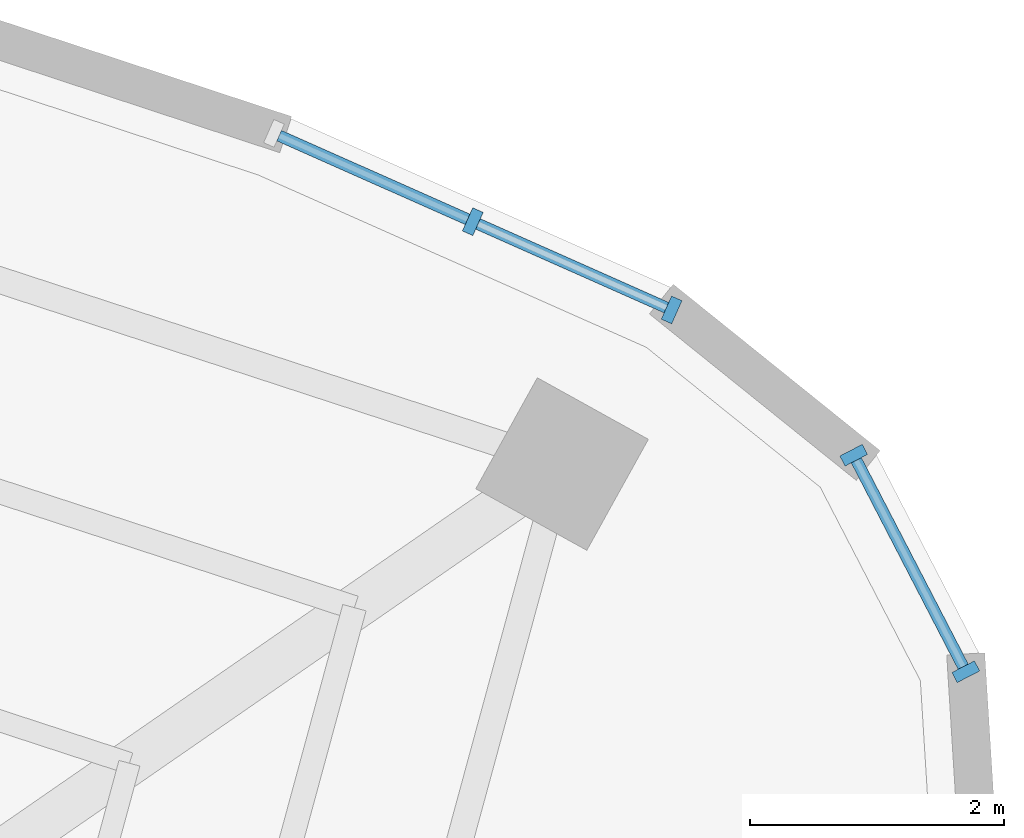
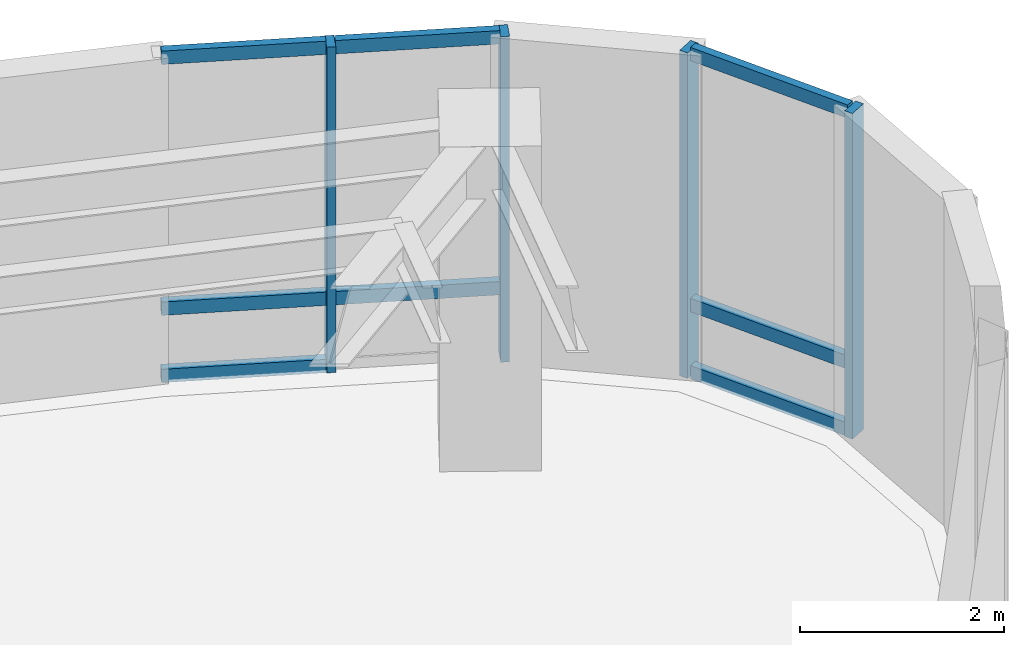
# One storey, part 6 of 14: 12 members, 2 elements without a shape of their own.
"""IFC4 building model written with IfcOpenShell, lengths in metres."""

from ifc_helpers import new_model, si_unit, direction, frame, origin, origin_2d, place, context, subcontext, project, spatial, rectangle, extrude, material, layer, layer_set, material_profile, profile_set, type_object, element, aggregate, save


model = new_model("IFC4")

# Units and contexts
model_context = context("Model", 3, precision=1e-05, world=origin(), true_north=direction((0.0, 1.0)))
body_context = subcontext(model_context, "Body", "Model", "MODEL_VIEW")
ifc_project = project(units=[si_unit("LENGTHUNIT", "METRE"), si_unit("AREAUNIT", "SQUARE_METRE"), si_unit("VOLUMEUNIT", "CUBIC_METRE"), si_unit("PLANEANGLEUNIT", "RADIAN"), si_unit("MASSUNIT", "GRAM", prefix="KILO")], contexts=[model_context])

# Site, building, storey
site_placement = place(None, origin())
site = spatial("IfcSite", under=ifc_project, at=site_placement, CompositionType="ELEMENT")
building_placement = place(site_placement, origin())
building = spatial("IfcBuilding", under=site, at=building_placement, Name="Korentha Bioscience Tower", CompositionType="ELEMENT")
storey_placement = place(building_placement, frame((0.0, 0.0, 231.0)))
storey = spatial("IfcBuildingStorey", under=building, at=storey_placement, Name="L53", CompositionType="ELEMENT", Elevation=231.0)

# Curtain wall, members
ifc_material_1 = material(Name="Thermally Broken Aluminium Frame", Category="aluminium")
ifc_layer = layer(ifc_material_1, 0.219970703125, Name="Thermally Broken Aluminium Frame")
ifc_layer_set = layer_set([ifc_layer], Name="Thermally Broken Aluminium Frame (CW-T1)")
curtain_wall_type = type_object("IfcCurtainWallType", Name="Standard Bioscience Lab Unitised Curtain Wall CW-T1", PredefinedType="USERDEFINED", material=ifc_layer_set)
curtain_wall_1_placement = place(storey_placement, origin())
curtain_wall_1 = element("IfcCurtainWall", 1, at=curtain_wall_1_placement, inside=storey, type_object=curtain_wall_type, Name="L53 Curtain Wall 01", ObjectType="UNITISED", PredefinedType="USERDEFINED")
ifc_material_2 = material(Name="Anodised Aluminium 6063-T6", Category="aluminium")
ifc_material_profile_1 = material_profile(ifc_material_2, rectangle(XDim=0.090087890625, YDim=0.199951171875, at=origin_2d()), Name="Anodised Aluminium 6063-T6")
ifc_profile_set_1 = profile_set([ifc_material_profile_1], Name="Anodised Aluminium 6063-T6 (CW-MUL)")
member_type_1 = type_object("IfcMemberType", Name="Mullion RECT 90x200", PredefinedType="MULLION", material=ifc_profile_set_1)
member_1_placement = place(storey_placement, frame((51.038818359375, 45.795166015625, 0.0), z_axis=(0.0, 0.0, 1.0), x_axis=(-0.913943941578, 0.405840450983, 0.0)))
member_1 = element("IfcMember", 2, at=member_1_placement, type_object=member_type_1, Name="CW-L53-01 Mullion 1", PredefinedType="MULLION", context=body_context, shape_type="SweptSolid", body=[
    extrude(rectangle(XDim=0.090087890625, YDim=0.199951171875, at=origin_2d()), origin(), (0.0, 0.0, 1.0), 3.89990234375),
])
member_2_placement = place(storey_placement, frame((49.471923828125, 46.49072265625, 0.0), z_axis=(0.0, 0.0, 1.0), x_axis=(-0.913943941578, 0.405840450983, 0.0)))
member_2 = element("IfcMember", 3, at=member_2_placement, type_object=member_type_1, Name="CW-L53-01 Mullion 2", PredefinedType="MULLION", context=body_context, shape_type="SweptSolid", body=[
    extrude(rectangle(XDim=0.090087890625, YDim=0.199951171875, at=origin_2d()), origin(), (0.0, 0.0, 1.0), 3.89990234375),
])

curtain_wall_2_placement = place(storey_placement, origin())
curtain_wall_2 = element("IfcCurtainWall", 4, at=curtain_wall_2_placement, inside=storey, type_object=curtain_wall_type, Name="L53 Curtain Wall 61", ObjectType="UNITISED", PredefinedType="USERDEFINED")
member_3_placement = place(storey_placement, frame((53.356689453125, 42.9443359375, 0.0), z_axis=(0.0, 0.0, 1.0), x_axis=(-0.459738031963, 0.888054582763, 0.0)))
member_3 = element("IfcMember", 5, at=member_3_placement, type_object=member_type_1, Name="CW-L53-61 Mullion 1", PredefinedType="MULLION", context=body_context, shape_type="SweptSolid", body=[
    extrude(rectangle(XDim=0.090087890625, YDim=0.199951171875, at=origin_2d()), origin(), (0.0, 0.0, 1.0), 3.89990234375),
])
member_4_placement = place(storey_placement, frame((52.473388671875, 44.650390625, 0.0), z_axis=(0.0, 0.0, 1.0), x_axis=(-0.459738031963, 0.888054582763, 0.0)))
member_4 = element("IfcMember", 6, at=member_4_placement, type_object=member_type_1, Name="CW-L53-61 Mullion 2", PredefinedType="MULLION", context=body_context, shape_type="SweptSolid", body=[
    extrude(rectangle(XDim=0.090087890625, YDim=0.199951171875, at=origin_2d()), origin(), (0.0, 0.0, 1.0), 3.89990234375),
])

# Member
ifc_material_profile_2 = material_profile(ifc_material_2, rectangle(XDim=0.090087890625, YDim=0.159912109375, at=origin_2d()), Name="Anodised Aluminium 6063-T6")
ifc_profile_set_2 = profile_set([ifc_material_profile_2], Name="Anodised Aluminium 6063-T6 (CW-TRN)")
member_type_2 = type_object("IfcMemberType", Name="Transom RECT 90x160", PredefinedType="USERDEFINED", material=ifc_profile_set_2)
member_5_placement = place(storey_placement, frame((50.99755859375, 45.813232421875, 0.85009765625), z_axis=(-0.913935479932, 0.405859505891, 0.0), x_axis=(-0.405859505891, -0.913935479932, 0.0)))
member_5 = element("IfcMember", 7, at=member_5_placement, type_object=member_type_2, Name="CW-L53-01 Bay 1 Transom 2", ObjectType="TRANSOM", PredefinedType="USERDEFINED", context=body_context, shape_type="SweptSolid", body=[
    extrude(rectangle(XDim=0.090087890625, YDim=0.159912109375, at=origin_2d()), origin(), (0.0, 0.0, 1.0), 1.624267578125),
])

member_6_placement = place(storey_placement, frame((50.99755859375, 45.813232421875, 3.85498046875), z_axis=(-0.913935479932, 0.405859505891, 0.0), x_axis=(-0.405859505891, -0.913935479932, 0.0)))
member_6 = element("IfcMember", 8, at=member_6_placement, type_object=member_type_2, Name="CW-L53-01 Bay 1 Transom 3", ObjectType="TRANSOM", PredefinedType="USERDEFINED", context=body_context, shape_type="SweptSolid", body=[
    extrude(rectangle(XDim=0.090087890625, YDim=0.159912109375, at=origin_2d()), origin(), (0.0, 0.0, 1.0), 1.624267578125),
])

member_7_placement = place(storey_placement, frame((49.430908203125, 46.509033203125, 0.044921875), z_axis=(-0.913935479932, 0.405859505891, 0.0), x_axis=(-0.405859505891, -0.913935479932, 0.0)))
member_7 = element("IfcMember", 9, at=member_7_placement, type_object=member_type_2, Name="CW-L53-01 Bay 2 Transom 1", ObjectType="TRANSOM", PredefinedType="USERDEFINED", context=body_context, shape_type="SweptSolid", body=[
    extrude(rectangle(XDim=0.090087890625, YDim=0.159912109375, at=origin_2d()), origin(), (0.0, 0.0, 1.0), 1.624267578125),
])

member_8_placement = place(storey_placement, frame((49.430908203125, 46.509033203125, 0.85009765625), z_axis=(-0.913935479932, 0.405859505891, 0.0), x_axis=(-0.405859505891, -0.913935479932, 0.0)))
member_8 = element("IfcMember", 10, at=member_8_placement, type_object=member_type_2, Name="CW-L53-01 Bay 2 Transom 2", ObjectType="TRANSOM", PredefinedType="USERDEFINED", context=body_context, shape_type="SweptSolid", body=[
    extrude(rectangle(XDim=0.090087890625, YDim=0.159912109375, at=origin_2d()), origin(), (0.0, 0.0, 1.0), 1.624267578125),
])

member_9_placement = place(storey_placement, frame((49.430908203125, 46.509033203125, 3.85498046875), z_axis=(-0.913935479932, 0.405859505891, 0.0), x_axis=(-0.405859505891, -0.913935479932, 0.0)))
member_9 = element("IfcMember", 11, at=member_9_placement, type_object=member_type_2, Name="CW-L53-01 Bay 2 Transom 3", ObjectType="TRANSOM", PredefinedType="USERDEFINED", context=body_context, shape_type="SweptSolid", body=[
    extrude(rectangle(XDim=0.090087890625, YDim=0.159912109375, at=origin_2d()), origin(), (0.0, 0.0, 1.0), 1.624267578125),
])

aggregate(curtain_wall_1, [member_1, member_2, member_5, member_6, member_7, member_8, member_9])

member_10_placement = place(storey_placement, frame((53.3359375, 42.984130859375, 0.044921875), z_axis=(-0.459752886798, 0.888046892389, 0.0), x_axis=(-0.888046892389, -0.459752886798, 0.0)))
member_10 = element("IfcMember", 12, at=member_10_placement, type_object=member_type_2, Name="CW-L53-61 Bay 1 Transom 1", ObjectType="TRANSOM", PredefinedType="USERDEFINED", context=body_context, shape_type="SweptSolid", body=[
    extrude(rectangle(XDim=0.090087890625, YDim=0.159912109375, at=origin_2d()), origin(), (0.0, 0.0, 1.0), 1.83154296875),
])

member_11_placement = place(storey_placement, frame((53.3359375, 42.984130859375, 0.85009765625), z_axis=(-0.459752886798, 0.888046892389, 0.0), x_axis=(-0.888046892389, -0.459752886798, 0.0)))
member_11 = element("IfcMember", 13, at=member_11_placement, type_object=member_type_2, Name="CW-L53-61 Bay 1 Transom 2", ObjectType="TRANSOM", PredefinedType="USERDEFINED", context=body_context, shape_type="SweptSolid", body=[
    extrude(rectangle(XDim=0.090087890625, YDim=0.159912109375, at=origin_2d()), origin(), (0.0, 0.0, 1.0), 1.83154296875),
])

member_12_placement = place(storey_placement, frame((53.3359375, 42.984130859375, 3.85498046875), z_axis=(-0.459752886798, 0.888046892389, 0.0), x_axis=(-0.888046892389, -0.459752886798, 0.0)))
member_12 = element("IfcMember", 14, at=member_12_placement, type_object=member_type_2, Name="CW-L53-61 Bay 1 Transom 3", ObjectType="TRANSOM", PredefinedType="USERDEFINED", context=body_context, shape_type="SweptSolid", body=[
    extrude(rectangle(XDim=0.090087890625, YDim=0.159912109375, at=origin_2d()), origin(), (0.0, 0.0, 1.0), 1.83154296875),
])

aggregate(curtain_wall_2, [member_3, member_4, member_10, member_11, member_12])

save(model, "model.ifc")
